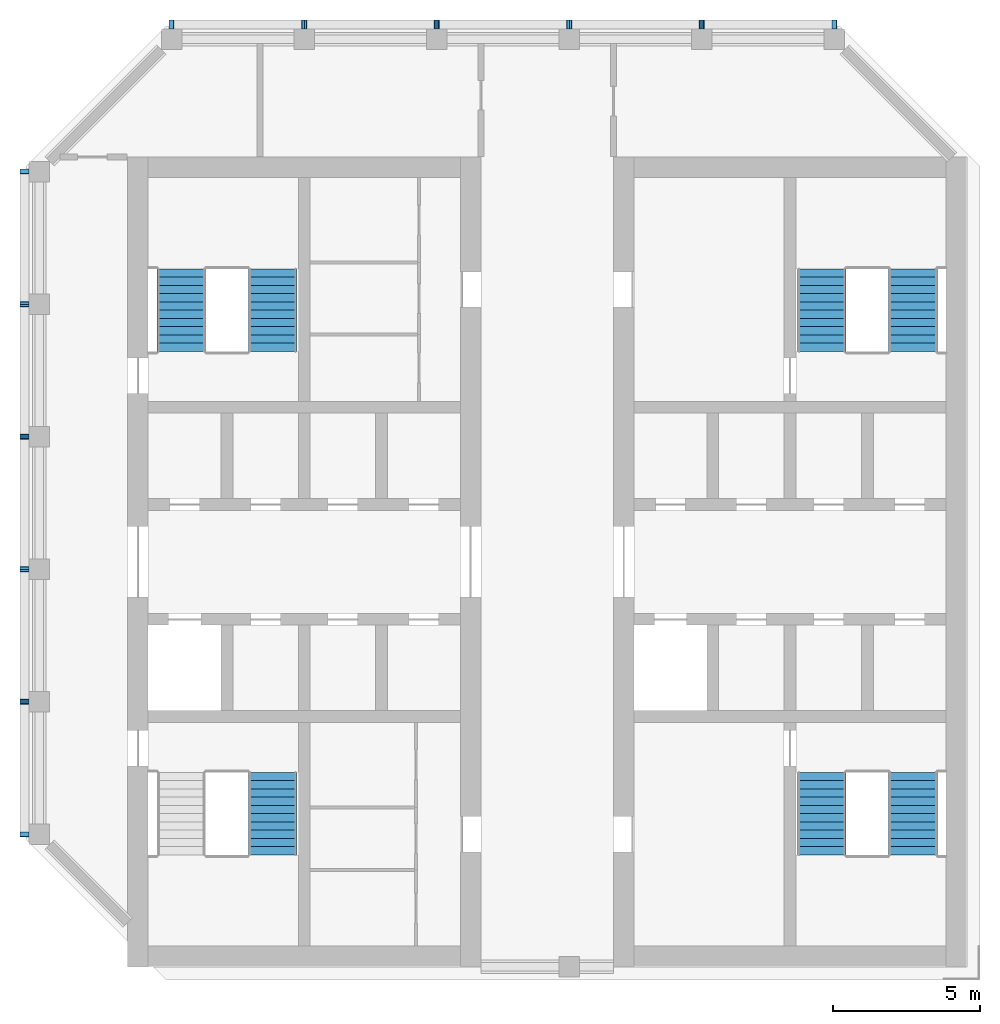
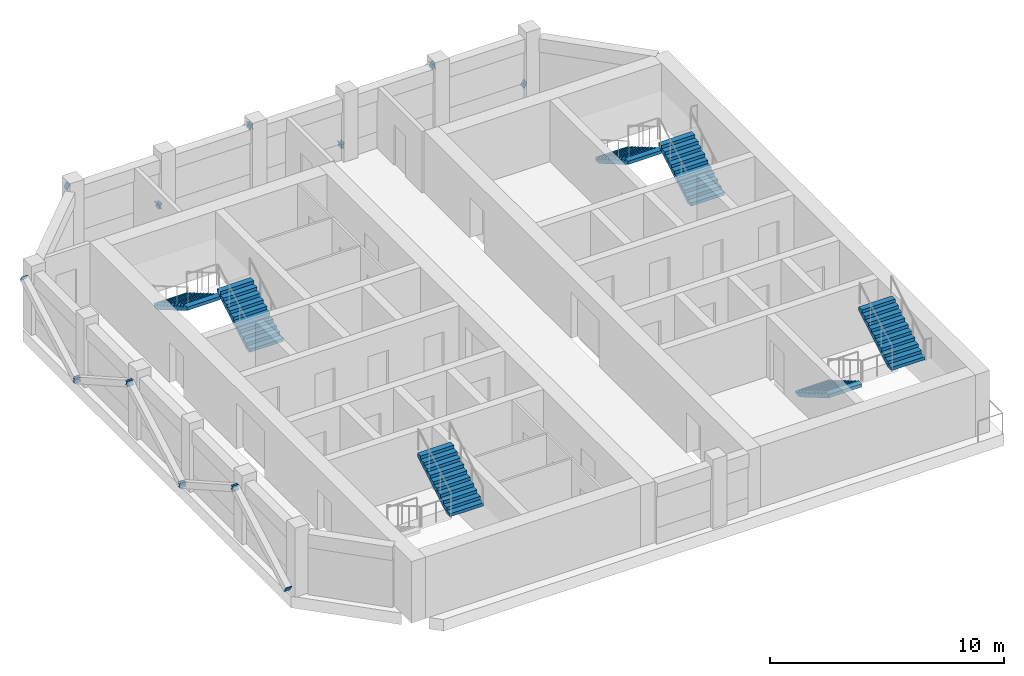
# One storey, part 4 of 5: 20 discrete accessories, 7 stair flights, 4 elements without a shape of their own.
"""IFC4 building model written with IfcOpenShell, lengths in metres."""

from ifc_helpers import new_model, si_unit, direction, frame, origin, origin_2d, place, context, subcontext, project, spatial, polyline, rectangle, outline, extrude, material, material_profile, profile_set, type_object, element, aggregate, save


model = new_model("IFC4")

# Units and contexts
model_context = context("Model", 3, precision=1e-05, world=origin(), true_north=direction((0.0, 1.0)))
body_context = subcontext(model_context, "Body", "Model", "MODEL_VIEW")
ifc_project = project(units=[si_unit("LENGTHUNIT", "METRE"), si_unit("AREAUNIT", "SQUARE_METRE"), si_unit("VOLUMEUNIT", "CUBIC_METRE"), si_unit("PLANEANGLEUNIT", "RADIAN"), si_unit("MASSUNIT", "GRAM", prefix="KILO")], contexts=[model_context])

# Site, building, storey
site_placement = place(None, origin())
site = spatial("IfcSite", under=ifc_project, at=site_placement, CompositionType="ELEMENT")
building_placement = place(site_placement, origin())
building = spatial("IfcBuilding", under=site, at=building_placement, Name="Corbel Stack Research Tower", CompositionType="ELEMENT")
storey_placement = place(building_placement, frame((0.0, 0.0, 326.199951171875)))
storey = spatial("IfcBuildingStorey", under=building, at=storey_placement, Name="L73", CompositionType="ELEMENT", Elevation=326.199951171875)

# Stair, stair flight
ifc_material_1 = material(Name="Concrete C40/50", Category="concrete")
stair_type = type_object("IfcStairType", Name="Exit stair 22 risers", PredefinedType="HALF_TURN_STAIR", material=ifc_material_1)
stair_1_placement = place(storey_placement, origin())
stair_1 = element("IfcStair", 1, at=stair_1_placement, inside=storey, type_object=stair_type, Name="L73 Exit stair ST-W1", PredefinedType="HALF_TURN_STAIR")
ifc_material_2 = material(Name="Concrete C40/50", Category="concrete")
stair_flight_type = type_object("IfcStairFlightType", Name="Stair flight 11 risers", PredefinedType="STRAIGHT", material=ifc_material_2)
stair_flight_1_placement = place(storey_placement, frame((-5.574951171875, -5.199951171875, 1.800048828125), z_axis=(0.0, 0.0, 1.0), x_axis=(0.0, 1.0, 0.0)))
stair_flight_1 = element("IfcStairFlight", 2, at=stair_flight_1_placement, type_object=stair_flight_type, Name="ST-W1 flight 2", NumberOfRisers=11, NumberOfTreads=10, PredefinedType="STRAIGHT", RiserHeight=0.163636364, TreadLength=0.28, context=body_context, shape_type="SweptSolid", body=[
    extrude(outline(polyline([(0.0, 0.0), (0.0, 0.16357421875), (0.280029296875, 0.16357421875), (0.280029296875, 0.327392578125), (0.56005859375, 0.327392578125), (0.56005859375, 0.490966796875), (0.840087890625, 0.490966796875), (0.840087890625, 0.654541015625), (1.1201171875, 0.654541015625), (1.1201171875, 0.818115234375), (1.39990234375, 0.818115234375), (1.39990234375, 0.98193359375), (1.679931640625, 0.98193359375), (1.679931640625, 1.1455078125), (1.9599609375, 1.1455078125), (1.9599609375, 1.30908203125), (2.239990234375, 1.30908203125), (2.239990234375, 1.47265625), (2.52001953125, 1.47265625), (2.52001953125, 1.636474609375), (2.800048828125, 1.636474609375), (2.800048828125, 1.800048828125), (2.800048828125, 1.462646484375), (0.297119140625, 0.0), (0.0, 0.0)])), frame((0.0, 0.824951171875, 0.0), z_axis=(0.0, -1.0, 0.0), x_axis=(1.0, 0.0, 0.0)), (0.0, 0.0, 1.0), 1.64990234375),
])
aggregate(stair_1, [stair_flight_1])

# Stair, stair flights
stair_2_placement = place(storey_placement, origin())
stair_2 = element("IfcStair", 3, at=stair_2_placement, inside=storey, type_object=stair_type, Name="L73 Exit stair ST-W2", PredefinedType="HALF_TURN_STAIR")
stair_flight_2_placement = place(storey_placement, frame((-5.574951171875, 11.89990234375, 0.0), z_axis=(0.0, 0.0, 1.0), x_axis=(0.0, 1.0, 0.0)))
stair_flight_2 = element("IfcStairFlight", 4, at=stair_flight_2_placement, type_object=stair_flight_type, Name="ST-W2 flight 1", NumberOfRisers=11, NumberOfTreads=10, PredefinedType="STRAIGHT", RiserHeight=0.163636364, TreadLength=0.28, context=body_context, shape_type="SweptSolid", body=[
    extrude(outline(polyline([(0.0, 0.0), (0.0, 0.16357421875), (0.280029296875, 0.16357421875), (0.280029296875, 0.327392578125), (0.56005859375, 0.327392578125), (0.56005859375, 0.490966796875), (0.840087890625, 0.490966796875), (0.840087890625, 0.654541015625), (1.1201171875, 0.654541015625), (1.1201171875, 0.818115234375), (1.39990234375, 0.818115234375), (1.39990234375, 0.98193359375), (1.679931640625, 0.98193359375), (1.679931640625, 1.1455078125), (1.9599609375, 1.1455078125), (1.9599609375, 1.30908203125), (2.239990234375, 1.30908203125), (2.239990234375, 1.47265625), (2.52001953125, 1.47265625), (2.52001953125, 1.636474609375), (2.800048828125, 1.636474609375), (2.800048828125, 1.800048828125), (2.800048828125, 1.462646484375), (0.297119140625, 0.0), (0.0, 0.0)])), frame((0.0, 0.824951171875, 0.0), z_axis=(0.0, -1.0, 0.0), x_axis=(1.0, 0.0, 0.0)), (0.0, 0.0, 1.0), 1.64990234375),
])
stair_flight_3_placement = place(storey_placement, frame((-8.675048828125, 14.699951171875, 1.800048828125), z_axis=(0.0, 0.0, 1.0), x_axis=(0.0, -1.0, 0.0)))
stair_flight_3 = element("IfcStairFlight", 5, at=stair_flight_3_placement, type_object=stair_flight_type, Name="ST-W2 flight 2", NumberOfRisers=11, NumberOfTreads=10, PredefinedType="STRAIGHT", RiserHeight=0.163636364, TreadLength=0.28, context=body_context, shape_type="SweptSolid", body=[
    extrude(outline(polyline([(0.0, 0.0), (0.0, 0.16357421875), (0.280029296875, 0.16357421875), (0.280029296875, 0.327392578125), (0.56005859375, 0.327392578125), (0.56005859375, 0.490966796875), (0.840087890625, 0.490966796875), (0.840087890625, 0.654541015625), (1.1201171875, 0.654541015625), (1.1201171875, 0.818115234375), (1.39990234375, 0.818115234375), (1.39990234375, 0.98193359375), (1.679931640625, 0.98193359375), (1.679931640625, 1.1455078125), (1.9599609375, 1.1455078125), (1.9599609375, 1.30908203125), (2.239990234375, 1.30908203125), (2.239990234375, 1.47265625), (2.52001953125, 1.47265625), (2.52001953125, 1.636474609375), (2.800048828125, 1.636474609375), (2.800048828125, 1.800048828125), (2.800048828125, 1.462646484375), (0.297119140625, 0.0), (0.0, 0.0)])), frame((0.0, 0.824951171875, 0.0), z_axis=(0.0, -1.0, 0.0), x_axis=(1.0, 0.0, 0.0)), (0.0, 0.0, 1.0), 1.64990234375),
])
aggregate(stair_2, [stair_flight_2, stair_flight_3])

stair_3_placement = place(storey_placement, origin())
stair_3 = element("IfcStair", 6, at=stair_3_placement, inside=storey, type_object=stair_type, Name="L73 Exit stair ST-E1", PredefinedType="HALF_TURN_STAIR")
stair_flight_4_placement = place(storey_placement, frame((13.074951171875, -2.39990234375, 0.0), z_axis=(0.0, 0.0, 1.0), x_axis=(0.0, -1.0, 0.0)))
stair_flight_4 = element("IfcStairFlight", 7, at=stair_flight_4_placement, type_object=stair_flight_type, Name="ST-E1 flight 1", NumberOfRisers=11, NumberOfTreads=10, PredefinedType="STRAIGHT", RiserHeight=0.163636364, TreadLength=0.28, context=body_context, shape_type="SweptSolid", body=[
    extrude(outline(polyline([(0.0, 0.0), (0.0, 0.16357421875), (0.280029296875, 0.16357421875), (0.280029296875, 0.327392578125), (0.56005859375, 0.327392578125), (0.56005859375, 0.490966796875), (0.840087890625, 0.490966796875), (0.840087890625, 0.654541015625), (1.1201171875, 0.654541015625), (1.1201171875, 0.818115234375), (1.39990234375, 0.818115234375), (1.39990234375, 0.98193359375), (1.679931640625, 0.98193359375), (1.679931640625, 1.1455078125), (1.9599609375, 1.1455078125), (1.9599609375, 1.30908203125), (2.239990234375, 1.30908203125), (2.239990234375, 1.47265625), (2.52001953125, 1.47265625), (2.52001953125, 1.636474609375), (2.800048828125, 1.636474609375), (2.800048828125, 1.800048828125), (2.800048828125, 1.462646484375), (0.297119140625, 0.0), (0.0, 0.0)])), frame((0.0, 0.824951171875, 0.0), z_axis=(0.0, -1.0, 0.0), x_axis=(1.0, 0.0, 0.0)), (0.0, 0.0, 1.0), 1.64990234375),
])
stair_flight_5_placement = place(storey_placement, frame((16.175048828125, -5.199951171875, 1.800048828125), z_axis=(0.0, 0.0, 1.0), x_axis=(0.0, 1.0, 0.0)))
stair_flight_5 = element("IfcStairFlight", 8, at=stair_flight_5_placement, type_object=stair_flight_type, Name="ST-E1 flight 2", NumberOfRisers=11, NumberOfTreads=10, PredefinedType="STRAIGHT", RiserHeight=0.163636364, TreadLength=0.28, context=body_context, shape_type="SweptSolid", body=[
    extrude(outline(polyline([(0.0, 0.0), (0.0, 0.16357421875), (0.280029296875, 0.16357421875), (0.280029296875, 0.327392578125), (0.56005859375, 0.327392578125), (0.56005859375, 0.490966796875), (0.840087890625, 0.490966796875), (0.840087890625, 0.654541015625), (1.1201171875, 0.654541015625), (1.1201171875, 0.818115234375), (1.39990234375, 0.818115234375), (1.39990234375, 0.98193359375), (1.679931640625, 0.98193359375), (1.679931640625, 1.1455078125), (1.9599609375, 1.1455078125), (1.9599609375, 1.30908203125), (2.239990234375, 1.30908203125), (2.239990234375, 1.47265625), (2.52001953125, 1.47265625), (2.52001953125, 1.636474609375), (2.800048828125, 1.636474609375), (2.800048828125, 1.800048828125), (2.800048828125, 1.462646484375), (0.297119140625, 0.0), (0.0, 0.0)])), frame((0.0, 0.824951171875, 0.0), z_axis=(0.0, -1.0, 0.0), x_axis=(1.0, 0.0, 0.0)), (0.0, 0.0, 1.0), 1.64990234375),
])
aggregate(stair_3, [stair_flight_4, stair_flight_5])

stair_4_placement = place(storey_placement, origin())
stair_4 = element("IfcStair", 9, at=stair_4_placement, inside=storey, type_object=stair_type, Name="L73 Exit stair ST-E2", PredefinedType="HALF_TURN_STAIR")
stair_flight_6_placement = place(storey_placement, frame((16.175048828125, 11.89990234375, 0.0), z_axis=(0.0, 0.0, 1.0), x_axis=(0.0, 1.0, 0.0)))
stair_flight_6 = element("IfcStairFlight", 10, at=stair_flight_6_placement, type_object=stair_flight_type, Name="ST-E2 flight 1", NumberOfRisers=11, NumberOfTreads=10, PredefinedType="STRAIGHT", RiserHeight=0.163636364, TreadLength=0.28, context=body_context, shape_type="SweptSolid", body=[
    extrude(outline(polyline([(0.0, 0.0), (0.0, 0.16357421875), (0.280029296875, 0.16357421875), (0.280029296875, 0.327392578125), (0.56005859375, 0.327392578125), (0.56005859375, 0.490966796875), (0.840087890625, 0.490966796875), (0.840087890625, 0.654541015625), (1.1201171875, 0.654541015625), (1.1201171875, 0.818115234375), (1.39990234375, 0.818115234375), (1.39990234375, 0.98193359375), (1.679931640625, 0.98193359375), (1.679931640625, 1.1455078125), (1.9599609375, 1.1455078125), (1.9599609375, 1.30908203125), (2.239990234375, 1.30908203125), (2.239990234375, 1.47265625), (2.52001953125, 1.47265625), (2.52001953125, 1.636474609375), (2.800048828125, 1.636474609375), (2.800048828125, 1.800048828125), (2.800048828125, 1.462646484375), (0.297119140625, 0.0), (0.0, 0.0)])), frame((0.0, 0.824951171875, 0.0), z_axis=(0.0, -1.0, 0.0), x_axis=(1.0, 0.0, 0.0)), (0.0, 0.0, 1.0), 1.64990234375),
])
stair_flight_7_placement = place(storey_placement, frame((13.074951171875, 14.699951171875, 1.800048828125), z_axis=(0.0, 0.0, 1.0), x_axis=(0.0, -1.0, 0.0)))
stair_flight_7 = element("IfcStairFlight", 11, at=stair_flight_7_placement, type_object=stair_flight_type, Name="ST-E2 flight 2", NumberOfRisers=11, NumberOfTreads=10, PredefinedType="STRAIGHT", RiserHeight=0.163636364, TreadLength=0.28, context=body_context, shape_type="SweptSolid", body=[
    extrude(outline(polyline([(0.0, 0.0), (0.0, 0.16357421875), (0.280029296875, 0.16357421875), (0.280029296875, 0.327392578125), (0.56005859375, 0.327392578125), (0.56005859375, 0.490966796875), (0.840087890625, 0.490966796875), (0.840087890625, 0.654541015625), (1.1201171875, 0.654541015625), (1.1201171875, 0.818115234375), (1.39990234375, 0.818115234375), (1.39990234375, 0.98193359375), (1.679931640625, 0.98193359375), (1.679931640625, 1.1455078125), (1.9599609375, 1.1455078125), (1.9599609375, 1.30908203125), (2.239990234375, 1.30908203125), (2.239990234375, 1.47265625), (2.52001953125, 1.47265625), (2.52001953125, 1.636474609375), (2.800048828125, 1.636474609375), (2.800048828125, 1.800048828125), (2.800048828125, 1.462646484375), (0.297119140625, 0.0), (0.0, 0.0)])), frame((0.0, 0.824951171875, 0.0), z_axis=(0.0, -1.0, 0.0), x_axis=(1.0, 0.0, 0.0)), (0.0, 0.0, 1.0), 1.64990234375),
])
aggregate(stair_4, [stair_flight_6, stair_flight_7])

# Discrete accessories
ifc_material_3 = material(Name="Steel S355", Category="steel")
ifc_material_profile = material_profile(ifc_material_3, rectangle(XDim=0.304931640625, YDim=0.304931640625, at=origin_2d()), Name="End plate 305x305x25")
ifc_profile_set = profile_set([ifc_material_profile], Name="Steel S355")
discrete_accessory_type = type_object("IfcDiscreteAccessoryType", Name="End plate 305x305x25", PredefinedType="ANCHORPLATE", material=ifc_profile_set)
for number, where, z_axis, x_axis, name in (
    (12, (13.5, 23.00244140625, 0.300048828125), (0.871837025185, 0.0, -0.489796081565), (0.0, 1.0, 0.0), "Brace end plate L73-01a"),
    (13, (9.0, 23.00244140625, 2.85009765625), (-0.871837025185, 0.0, 0.489796081565), (0.0, -1.0, 0.0), "Brace end plate L73-01b"),
    (14, (4.5, 23.00244140625, 0.300048828125), (-0.871837025185, 0.0, -0.489796081565), (0.0, -1.0, 0.0), "Brace end plate L73-02a"),
    (15, (9.0, 23.00244140625, 2.85009765625), (0.871837025185, 0.0, 0.489796081565), (0.0, 1.0, 0.0), "Brace end plate L73-02b"),
    (16, (4.5, 23.00244140625, 0.300048828125), (0.871837025185, 0.0, -0.489796081565), (0.0, 1.0, 0.0), "Brace end plate L73-03a"),
    (17, (0.0, 23.00244140625, 2.85009765625), (-0.871837025185, 0.0, 0.489796081565), (0.0, -1.0, 0.0), "Brace end plate L73-03b"),
    (18, (-4.5, 23.00244140625, 0.300048828125), (-0.871837025185, 0.0, -0.489796081565), (0.0, -1.0, 0.0), "Brace end plate L73-04a"),
    (19, (0.0, 23.00244140625, 2.85009765625), (0.871837025185, 0.0, 0.489796081565), (0.0, 1.0, 0.0), "Brace end plate L73-04b"),
    (20, (-4.5, 23.00244140625, 0.300048828125), (0.871837025185, 0.0, -0.489796081565), (0.0, 1.0, 0.0), "Brace end plate L73-05a"),
    (21, (-9.0, 23.00244140625, 2.85009765625), (-0.871837025185, 0.0, 0.489796081565), (0.0, -1.0, 0.0), "Brace end plate L73-05b"),
    (22, (-14.00244140625, 13.5, 0.300048828125), (0.0, -0.871837025185, -0.489796081565), (1.0, 0.0, 0.0), "Brace end plate L73-06a"),
    (23, (-14.00244140625, 18.0, 2.85009765625), (0.0, 0.871837025185, 0.489796081565), (-1.0, 0.0, 0.0), "Brace end plate L73-06b"),
    (24, (-14.00244140625, 13.5, 0.300048828125), (0.0, 0.871837025185, -0.489796081565), (-1.0, 0.0, 0.0), "Brace end plate L73-07a"),
    (25, (-14.00244140625, 9.0, 2.85009765625), (0.0, -0.871837025185, 0.489796081565), (1.0, 0.0, 0.0), "Brace end plate L73-07b"),
    (26, (-14.00244140625, 4.5, 0.300048828125), (0.0, -0.871837025185, -0.489796081565), (1.0, 0.0, 0.0), "Brace end plate L73-08a"),
    (27, (-14.00244140625, 9.0, 2.85009765625), (0.0, 0.871837025185, 0.489796081565), (-1.0, 0.0, 0.0), "Brace end plate L73-08b"),
    (28, (-14.00244140625, 4.5, 0.300048828125), (0.0, 0.871837025185, -0.489796081565), (-1.0, 0.0, 0.0), "Brace end plate L73-09a"),
    (29, (-14.00244140625, 0.0, 2.85009765625), (0.0, -0.871837025185, 0.489796081565), (1.0, 0.0, 0.0), "Brace end plate L73-09b"),
    (30, (-14.00244140625, -4.5, 0.300048828125), (0.0, -0.871837025185, -0.489796081565), (1.0, 0.0, 0.0), "Brace end plate L73-10a"),
    (31, (-14.00244140625, 0.0, 2.85009765625), (0.0, 0.871837025185, 0.489796081565), (-1.0, 0.0, 0.0), "Brace end plate L73-10b"),
):
    element("IfcDiscreteAccessory", number, at=place(storey_placement, frame(where, z_axis=z_axis, x_axis=x_axis)), inside=storey, type_object=discrete_accessory_type, Name=name, PredefinedType="ANCHORPLATE", context=body_context, shape_type="SweptSolid", body=[
        extrude(rectangle(XDim=0.304931640625, YDim=0.304931640625, at=origin_2d()), origin(), (0.0, 0.0, 1.0), 0.02490234375),
    ])

save(model, "model.ifc")
